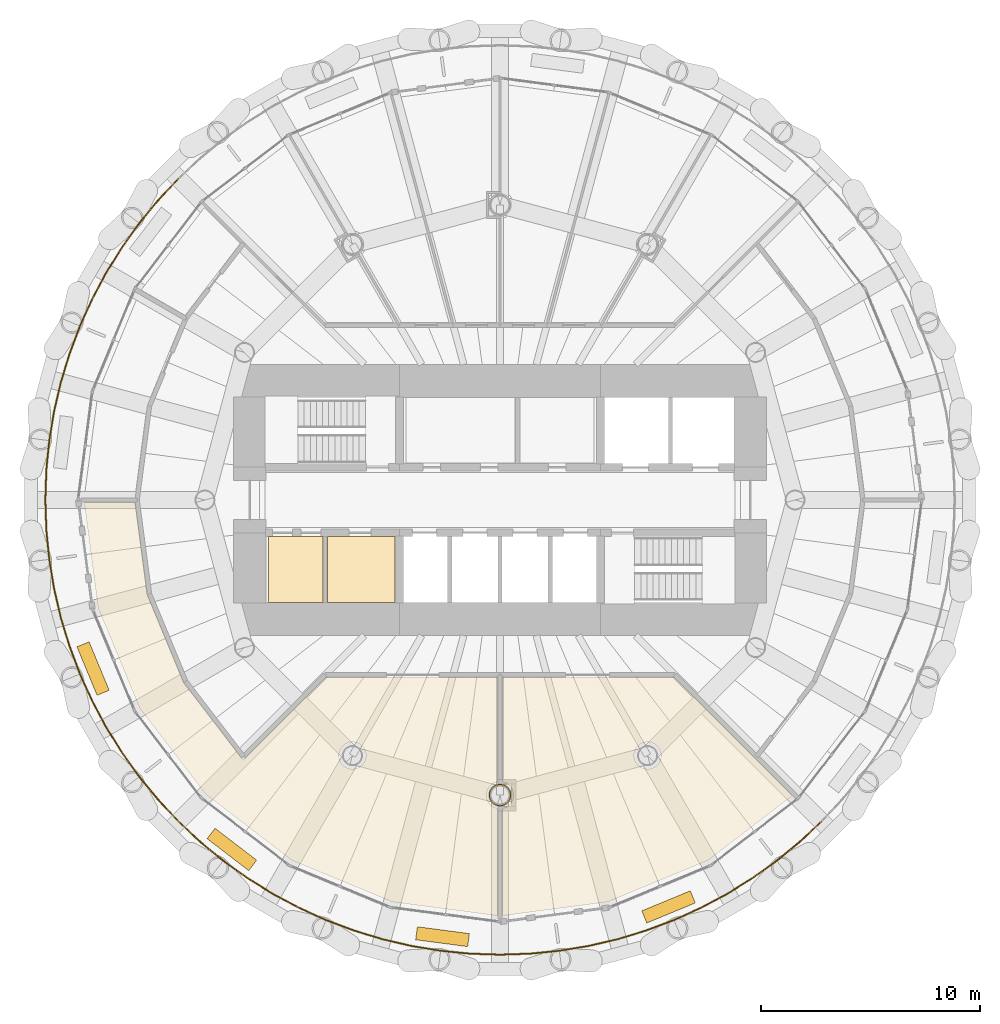
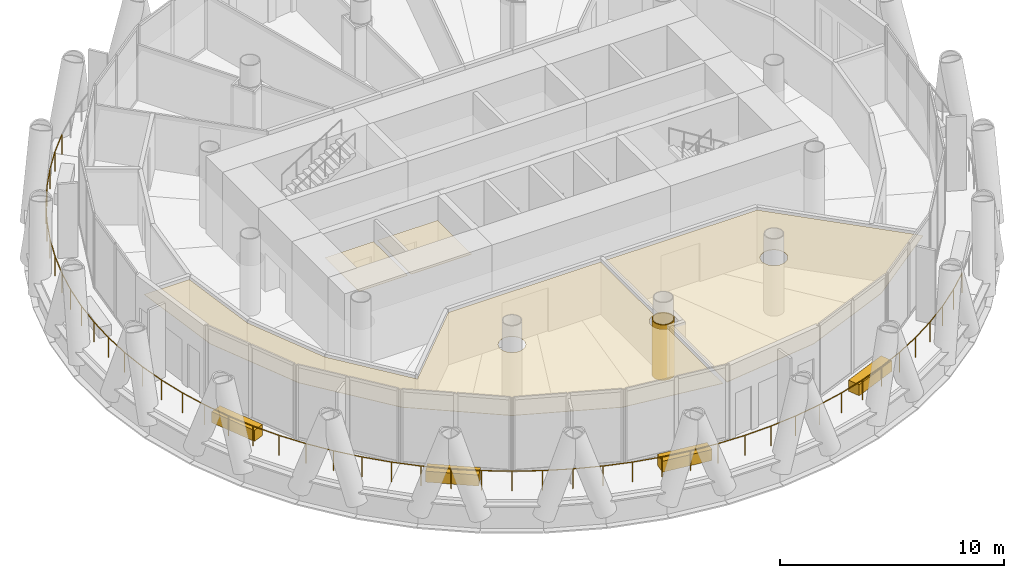
# One storey, part 13 of 15: 9 coverings, 2 railings.
"""IFC4 building model written with IfcOpenShell, lengths in metres."""

from ifc_helpers import new_model, si_unit, direction, frame, origin, origin_2d, place, context, subcontext, project, spatial, polyline, rectangle, circle, outline, extrude, material, layer, layer_set, type_object, element, save


model = new_model("IFC4")

# Units and contexts
model_context = context("Model", 3, precision=1e-05, world=origin(), true_north=direction((0.0, 1.0)))
body_context = subcontext(model_context, "Body", "Model", "MODEL_VIEW")
ifc_project = project(units=[si_unit("LENGTHUNIT", "METRE"), si_unit("AREAUNIT", "SQUARE_METRE"), si_unit("VOLUMEUNIT", "CUBIC_METRE"), si_unit("PLANEANGLEUNIT", "RADIAN"), si_unit("MASSUNIT", "GRAM", prefix="KILO")], contexts=[model_context])

# Site, building, storey
site_placement = place(None, origin())
site = spatial("IfcSite", under=ifc_project, at=site_placement, CompositionType="ELEMENT")
building_placement = place(site_placement, origin())
building = spatial("IfcBuilding", under=site, at=building_placement, Name="Qaws Media Tower", CompositionType="ELEMENT")
storey_placement = place(building_placement, frame((0.0, 0.0, 265.39990234375)))
storey = spatial("IfcBuildingStorey", under=building, at=storey_placement, Name="L61", CompositionType="ELEMENT", Elevation=265.39990234375)

# Railings
ifc_material_1 = material(Name="Stainless steel and glass guard", Category="steel")
railing_type = type_object("IfcRailingType", Name="Balcony guard 1100", PredefinedType="GUARDRAIL", material=ifc_material_1)
railing_1_placement = place(storey_placement, frame((45.292236328125, 64.707763671875, 0.0)))
element("IfcRailing", 1, at=railing_1_placement, inside=storey, type_object=railing_type, Name="GR1 balcony guard L61-2", PredefinedType="GUARDRAIL", context=body_context, shape_type="SweptSolid", body=[
    extrude(circle(Radius=0.02392578125, at=origin_2d()), frame((0.0, 0.0, 1.076171875), z_axis=(-0.683589016523, -0.72986714989, 0.0), x_axis=(0.72986714989, -0.683589016523, 0.0)), (0.0, 0.0, 1.0), 1.361083984375),
    extrude(circle(Radius=0.02392578125, at=origin_2d()), frame((-0.930419921875, -0.993408203125, 1.076171875), z_axis=(-0.634467786401, -0.772949304948, 0.0), x_axis=(0.772949304948, -0.634467786401, 0.0)), (0.0, 0.0, 1.0), 1.361083984375),
    extrude(circle(Radius=0.02392578125, at=origin_2d()), frame((-1.7939453125, -2.04541015625, 1.076171875), z_axis=(-0.582526840805, -0.812811466296, 0.0), x_axis=(0.812811466296, -0.582526840805, 0.0)), (0.0, 0.0, 1.0), 1.361328125),
    extrude(circle(Radius=0.02392578125, at=origin_2d()), frame((-2.5869140625, -3.15185546875, 1.076171875), z_axis=(-0.528014534566, -0.849235333278, 0.0), x_axis=(0.849235333278, -0.528014534566, 0.0)), (0.0, 0.0, 1.0), 1.361328125),
    extrude(circle(Radius=0.02392578125, at=origin_2d()), frame((-3.3056640625, -4.307861328125, 1.076171875), z_axis=(-0.471444630304, -0.881895663079, 0.0), x_axis=(0.881895663079, -0.471444630304, 0.0)), (0.0, 0.0, 1.0), 1.36083984375),
    extrude(circle(Radius=0.02392578125, at=origin_2d()), frame((-3.947265625, -5.508056640625, 1.076171875), z_axis=(-0.41266760436, -0.910881687329, 0.0), x_axis=(0.910881687329, -0.41266760436, 0.0)), (0.0, 0.0, 1.0), 1.361328125),
    extrude(circle(Radius=0.02392578125, at=origin_2d()), frame((-4.509033203125, -6.748046875, 1.076171875), z_axis=(-0.352165227641, -0.935937846462, 0.0), x_axis=(0.935937846462, -0.352165227641, 0.0)), (0.0, 0.0, 1.0), 1.36083984375),
    extrude(circle(Radius=0.02392578125, at=origin_2d()), frame((-4.98828125, -8.021728515625, 1.076171875), z_axis=(-0.290390689523, -0.956908170849, 0.0), x_axis=(0.956908170849, -0.290390689523, 0.0)), (0.0, 0.0, 1.0), 1.361083984375),
    extrude(circle(Radius=0.02392578125, at=origin_2d()), frame((-5.383544921875, -9.32421875, 1.076171875), z_axis=(-0.227059520759, -0.973880882877, 0.0), x_axis=(0.973880882877, -0.227059520759, 0.0)), (0.0, 0.0, 1.0), 1.361328125),
    extrude(circle(Radius=0.02392578125, at=origin_2d()), frame((-5.692626953125, -10.64990234375, 1.076171875), z_axis=(-0.162857275255, -0.986649637864, 0.0), x_axis=(0.986649637864, -0.162857275255, 0.0)), (0.0, 0.0, 1.0), 1.361083984375),
    extrude(circle(Radius=0.02392578125, at=origin_2d()), frame((-5.914306640625, -11.992919921875, 1.076171875), z_axis=(-0.09794069397, -0.995192253017, 0.0), x_axis=(0.995192253017, -0.09794069397, 0.0)), (0.0, 0.0, 1.0), 1.361083984375),
    extrude(circle(Radius=0.02392578125, at=origin_2d()), frame((-6.047607421875, -13.347412109375, 1.076171875), z_axis=(-0.032825086761, -0.999461111639, 0.0), x_axis=(0.999461111639, -0.032825086761, 0.0)), (0.0, 0.0, 1.0), 1.361083984375),
    extrude(circle(Radius=0.02392578125, at=origin_2d()), frame((-6.09228515625, -14.707763671875, 1.076171875), z_axis=(0.032825086761, -0.999461111639, 0.0), x_axis=(0.999461111639, 0.032825086761, 0.0)), (0.0, 0.0, 1.0), 1.361083984375),
    extrude(circle(Radius=0.02392578125, at=origin_2d()), frame((-6.047607421875, -16.068115234375, 1.076171875), z_axis=(0.09794069397, -0.995192253017, 0.0), x_axis=(0.995192253017, 0.09794069397, 0.0)), (0.0, 0.0, 1.0), 1.361083984375),
    extrude(circle(Radius=0.02392578125, at=origin_2d()), frame((-5.914306640625, -17.422607421875, 1.076171875), z_axis=(0.162857275255, -0.986649637864, 0.0), x_axis=(0.986649637864, 0.162857275255, 0.0)), (0.0, 0.0, 1.0), 1.361083984375),
    extrude(circle(Radius=0.02392578125, at=origin_2d()), frame((-5.692626953125, -18.765625, 1.076171875), z_axis=(0.227059520759, -0.973880882877, 0.0), x_axis=(0.973880882877, 0.227059520759, 0.0)), (0.0, 0.0, 1.0), 1.361328125),
    extrude(circle(Radius=0.02392578125, at=origin_2d()), frame((-5.383544921875, -20.09130859375, 1.076171875), z_axis=(0.290390689523, -0.956908170849, 0.0), x_axis=(0.956908170849, 0.290390689523, 0.0)), (0.0, 0.0, 1.0), 1.361083984375),
    extrude(circle(Radius=0.02392578125, at=origin_2d()), frame((-4.98828125, -21.393798828125, 1.076171875), z_axis=(0.352165227641, -0.935937846462, 0.0), x_axis=(0.935937846462, 0.352165227641, 0.0)), (0.0, 0.0, 1.0), 1.36083984375),
    extrude(circle(Radius=0.02392578125, at=origin_2d()), frame((-4.509033203125, -22.66748046875, 1.076171875), z_axis=(0.41266760436, -0.910881687329, 0.0), x_axis=(0.910881687329, 0.41266760436, 0.0)), (0.0, 0.0, 1.0), 1.361328125),
    extrude(circle(Radius=0.02392578125, at=origin_2d()), frame((-3.947265625, -23.907470703125, 1.076171875), z_axis=(0.471444630304, -0.881895663079, 0.0), x_axis=(0.881895663079, 0.471444630304, 0.0)), (0.0, 0.0, 1.0), 1.36083984375),
    extrude(circle(Radius=0.02392578125, at=origin_2d()), frame((-3.3056640625, -25.107666015625, 1.076171875), z_axis=(0.528014534566, -0.849235333278, 0.0), x_axis=(0.849235333278, 0.528014534566, 0.0)), (0.0, 0.0, 1.0), 1.361328125),
    extrude(circle(Radius=0.02392578125, at=origin_2d()), frame((-2.5869140625, -26.263671875, 1.076171875), z_axis=(0.582526840805, -0.812811466296, 0.0), x_axis=(0.812811466296, 0.582526840805, 0.0)), (0.0, 0.0, 1.0), 1.361328125),
    extrude(circle(Radius=0.02392578125, at=origin_2d()), frame((-1.7939453125, -27.3701171875, 1.076171875), z_axis=(0.634467786401, -0.772949304948, 0.0), x_axis=(0.772949304948, 0.634467786401, 0.0)), (0.0, 0.0, 1.0), 1.361083984375),
    extrude(circle(Radius=0.02392578125, at=origin_2d()), frame((-0.930419921875, -28.422119140625, 1.076171875), z_axis=(0.683589016523, -0.72986714989, 0.0), x_axis=(0.72986714989, 0.683589016523, 0.0)), (0.0, 0.0, 1.0), 1.361083984375),
    extrude(circle(Radius=0.02099609375, at=origin_2d()), origin(), (0.0, 0.0, 1.0), 1.052001953125),
    extrude(circle(Radius=0.02099609375, at=origin_2d()), frame((-0.930419921875, -0.993408203125, 0.0)), (0.0, 0.0, 1.0), 1.052001953125),
    extrude(circle(Radius=0.02099609375, at=origin_2d()), frame((-1.7939453125, -2.04541015625, 0.0)), (0.0, 0.0, 1.0), 1.052001953125),
    extrude(circle(Radius=0.02099609375, at=origin_2d()), frame((-2.5869140625, -3.15185546875, 0.0)), (0.0, 0.0, 1.0), 1.052001953125),
    extrude(circle(Radius=0.02099609375, at=origin_2d()), frame((-3.3056640625, -4.307861328125, 0.0)), (0.0, 0.0, 1.0), 1.052001953125),
    extrude(circle(Radius=0.02099609375, at=origin_2d()), frame((-3.947265625, -5.508056640625, 0.0)), (0.0, 0.0, 1.0), 1.052001953125),
    extrude(circle(Radius=0.02099609375, at=origin_2d()), frame((-4.509033203125, -6.748046875, 0.0)), (0.0, 0.0, 1.0), 1.052001953125),
    extrude(circle(Radius=0.02099609375, at=origin_2d()), frame((-4.98828125, -8.021728515625, 0.0)), (0.0, 0.0, 1.0), 1.052001953125),
    extrude(circle(Radius=0.02099609375, at=origin_2d()), frame((-5.383544921875, -9.32421875, 0.0)), (0.0, 0.0, 1.0), 1.052001953125),
    extrude(circle(Radius=0.02099609375, at=origin_2d()), frame((-5.692626953125, -10.64990234375, 0.0)), (0.0, 0.0, 1.0), 1.052001953125),
    extrude(circle(Radius=0.02099609375, at=origin_2d()), frame((-5.914306640625, -11.992919921875, 0.0)), (0.0, 0.0, 1.0), 1.052001953125),
    extrude(circle(Radius=0.02099609375, at=origin_2d()), frame((-6.047607421875, -13.347412109375, 0.0)), (0.0, 0.0, 1.0), 1.052001953125),
    extrude(circle(Radius=0.02099609375, at=origin_2d()), frame((-6.09228515625, -14.707763671875, 0.0)), (0.0, 0.0, 1.0), 1.052001953125),
    extrude(circle(Radius=0.02099609375, at=origin_2d()), frame((-6.047607421875, -16.068115234375, 0.0)), (0.0, 0.0, 1.0), 1.052001953125),
    extrude(circle(Radius=0.02099609375, at=origin_2d()), frame((-5.914306640625, -17.422607421875, 0.0)), (0.0, 0.0, 1.0), 1.052001953125),
    extrude(circle(Radius=0.02099609375, at=origin_2d()), frame((-5.692626953125, -18.765625, 0.0)), (0.0, 0.0, 1.0), 1.052001953125),
    extrude(circle(Radius=0.02099609375, at=origin_2d()), frame((-5.383544921875, -20.09130859375, 0.0)), (0.0, 0.0, 1.0), 1.052001953125),
    extrude(circle(Radius=0.02099609375, at=origin_2d()), frame((-4.98828125, -21.393798828125, 0.0)), (0.0, 0.0, 1.0), 1.052001953125),
    extrude(circle(Radius=0.02099609375, at=origin_2d()), frame((-4.509033203125, -22.66748046875, 0.0)), (0.0, 0.0, 1.0), 1.052001953125),
    extrude(circle(Radius=0.02099609375, at=origin_2d()), frame((-3.947265625, -23.907470703125, 0.0)), (0.0, 0.0, 1.0), 1.052001953125),
    extrude(circle(Radius=0.02099609375, at=origin_2d()), frame((-3.3056640625, -25.107666015625, 0.0)), (0.0, 0.0, 1.0), 1.052001953125),
    extrude(circle(Radius=0.02099609375, at=origin_2d()), frame((-2.5869140625, -26.263671875, 0.0)), (0.0, 0.0, 1.0), 1.052001953125),
    extrude(circle(Radius=0.02099609375, at=origin_2d()), frame((-1.7939453125, -27.3701171875, 0.0)), (0.0, 0.0, 1.0), 1.052001953125),
    extrude(circle(Radius=0.02099609375, at=origin_2d()), frame((-0.930419921875, -28.422119140625, 0.0)), (0.0, 0.0, 1.0), 1.052001953125),
    extrude(circle(Radius=0.02099609375, at=origin_2d()), frame((0.0, -29.41552734375, 0.0)), (0.0, 0.0, 1.0), 1.052001953125),
])
railing_2_placement = place(storey_placement, frame((45.292236328125, 35.292236328125, 0.0)))
element("IfcRailing", 2, at=railing_2_placement, inside=storey, type_object=railing_type, Name="GR1 balcony guard L61-3", PredefinedType="GUARDRAIL", context=body_context, shape_type="SweptSolid", body=[
    extrude(circle(Radius=0.02392578125, at=origin_2d()), frame((0.0, 0.0, 1.076171875), z_axis=(0.72986714989, -0.683589016523, 0.0), x_axis=(0.683589016523, 0.72986714989, 0.0)), (0.0, 0.0, 1.0), 1.361083984375),
    extrude(circle(Radius=0.02392578125, at=origin_2d()), frame((0.993408203125, -0.930419921875, 1.076171875), z_axis=(0.772949304948, -0.634467786401, 0.0), x_axis=(0.634467786401, 0.772949304948, 0.0)), (0.0, 0.0, 1.0), 1.361083984375),
    extrude(circle(Radius=0.02392578125, at=origin_2d()), frame((2.04541015625, -1.7939453125, 1.076171875), z_axis=(0.812811466296, -0.582526840805, 0.0), x_axis=(0.582526840805, 0.812811466296, 0.0)), (0.0, 0.0, 1.0), 1.361328125),
    extrude(circle(Radius=0.02392578125, at=origin_2d()), frame((3.15185546875, -2.5869140625, 1.076171875), z_axis=(0.849235333278, -0.528014534566, 0.0), x_axis=(0.528014534566, 0.849235333278, 0.0)), (0.0, 0.0, 1.0), 1.361328125),
    extrude(circle(Radius=0.02392578125, at=origin_2d()), frame((4.307861328125, -3.3056640625, 1.076171875), z_axis=(0.881895663079, -0.471444630304, 0.0), x_axis=(0.471444630304, 0.881895663079, 0.0)), (0.0, 0.0, 1.0), 1.36083984375),
    extrude(circle(Radius=0.02392578125, at=origin_2d()), frame((5.508056640625, -3.947265625, 1.076171875), z_axis=(0.910881687329, -0.41266760436, 0.0), x_axis=(0.41266760436, 0.910881687329, 0.0)), (0.0, 0.0, 1.0), 1.361328125),
    extrude(circle(Radius=0.02392578125, at=origin_2d()), frame((6.748046875, -4.509033203125, 1.076171875), z_axis=(0.935937846462, -0.352165227641, 0.0), x_axis=(0.352165227641, 0.935937846462, 0.0)), (0.0, 0.0, 1.0), 1.36083984375),
    extrude(circle(Radius=0.02392578125, at=origin_2d()), frame((8.021728515625, -4.98828125, 1.076171875), z_axis=(0.956908170849, -0.290390689523, 0.0), x_axis=(0.290390689523, 0.956908170849, 0.0)), (0.0, 0.0, 1.0), 1.361083984375),
    extrude(circle(Radius=0.02392578125, at=origin_2d()), frame((9.32421875, -5.383544921875, 1.076171875), z_axis=(0.973880882877, -0.227059520759, 0.0), x_axis=(0.227059520759, 0.973880882877, 0.0)), (0.0, 0.0, 1.0), 1.361328125),
    extrude(circle(Radius=0.02392578125, at=origin_2d()), frame((10.64990234375, -5.692626953125, 1.076171875), z_axis=(0.986649637864, -0.162857275255, 0.0), x_axis=(0.162857275255, 0.986649637864, 0.0)), (0.0, 0.0, 1.0), 1.361083984375),
    extrude(circle(Radius=0.02392578125, at=origin_2d()), frame((11.992919921875, -5.914306640625, 1.076171875), z_axis=(0.995192253017, -0.09794069397, 0.0), x_axis=(0.09794069397, 0.995192253017, 0.0)), (0.0, 0.0, 1.0), 1.361083984375),
    extrude(circle(Radius=0.02392578125, at=origin_2d()), frame((13.347412109375, -6.047607421875, 1.076171875), z_axis=(0.999461111639, -0.032825086761, 0.0), x_axis=(0.032825086761, 0.999461111639, 0.0)), (0.0, 0.0, 1.0), 1.361083984375),
    extrude(circle(Radius=0.02392578125, at=origin_2d()), frame((14.707763671875, -6.09228515625, 1.076171875), z_axis=(0.999461111639, 0.032825086761, 0.0), x_axis=(-0.032825086761, 0.999461111639, 0.0)), (0.0, 0.0, 1.0), 1.361083984375),
    extrude(circle(Radius=0.02392578125, at=origin_2d()), frame((16.068115234375, -6.047607421875, 1.076171875), z_axis=(0.995192253017, 0.09794069397, 0.0), x_axis=(-0.09794069397, 0.995192253017, 0.0)), (0.0, 0.0, 1.0), 1.361083984375),
    extrude(circle(Radius=0.02392578125, at=origin_2d()), frame((17.422607421875, -5.914306640625, 1.076171875), z_axis=(0.986649637864, 0.162857275255, 0.0), x_axis=(-0.162857275255, 0.986649637864, 0.0)), (0.0, 0.0, 1.0), 1.361083984375),
    extrude(circle(Radius=0.02392578125, at=origin_2d()), frame((18.765625, -5.692626953125, 1.076171875), z_axis=(0.973880882877, 0.227059520759, 0.0), x_axis=(-0.227059520759, 0.973880882877, 0.0)), (0.0, 0.0, 1.0), 1.361328125),
    extrude(circle(Radius=0.02392578125, at=origin_2d()), frame((20.09130859375, -5.383544921875, 1.076171875), z_axis=(0.956908170849, 0.290390689523, 0.0), x_axis=(-0.290390689523, 0.956908170849, 0.0)), (0.0, 0.0, 1.0), 1.361083984375),
    extrude(circle(Radius=0.02392578125, at=origin_2d()), frame((21.393798828125, -4.98828125, 1.076171875), z_axis=(0.935937846462, 0.352165227641, 0.0), x_axis=(-0.352165227641, 0.935937846462, 0.0)), (0.0, 0.0, 1.0), 1.36083984375),
    extrude(circle(Radius=0.02392578125, at=origin_2d()), frame((22.66748046875, -4.509033203125, 1.076171875), z_axis=(0.910881687329, 0.41266760436, 0.0), x_axis=(-0.41266760436, 0.910881687329, 0.0)), (0.0, 0.0, 1.0), 1.361328125),
    extrude(circle(Radius=0.02392578125, at=origin_2d()), frame((23.907470703125, -3.947265625, 1.076171875), z_axis=(0.881895663079, 0.471444630304, 0.0), x_axis=(-0.471444630304, 0.881895663079, 0.0)), (0.0, 0.0, 1.0), 1.36083984375),
    extrude(circle(Radius=0.02392578125, at=origin_2d()), frame((25.107666015625, -3.3056640625, 1.076171875), z_axis=(0.849235333278, 0.528014534566, 0.0), x_axis=(-0.528014534566, 0.849235333278, 0.0)), (0.0, 0.0, 1.0), 1.361328125),
    extrude(circle(Radius=0.02392578125, at=origin_2d()), frame((26.263671875, -2.5869140625, 1.076171875), z_axis=(0.812811466296, 0.582526840805, 0.0), x_axis=(-0.582526840805, 0.812811466296, 0.0)), (0.0, 0.0, 1.0), 1.361328125),
    extrude(circle(Radius=0.02392578125, at=origin_2d()), frame((27.3701171875, -1.7939453125, 1.076171875), z_axis=(0.772949304948, 0.634467786401, 0.0), x_axis=(-0.634467786401, 0.772949304948, 0.0)), (0.0, 0.0, 1.0), 1.361083984375),
    extrude(circle(Radius=0.02392578125, at=origin_2d()), frame((28.422119140625, -0.930419921875, 1.076171875), z_axis=(0.72986714989, 0.683589016523, 0.0), x_axis=(-0.683589016523, 0.72986714989, 0.0)), (0.0, 0.0, 1.0), 1.361083984375),
    extrude(circle(Radius=0.02099609375, at=origin_2d()), origin(), (0.0, 0.0, 1.0), 1.052001953125),
    extrude(circle(Radius=0.02099609375, at=origin_2d()), frame((0.993408203125, -0.930419921875, 0.0)), (0.0, 0.0, 1.0), 1.052001953125),
    extrude(circle(Radius=0.02099609375, at=origin_2d()), frame((2.04541015625, -1.7939453125, 0.0)), (0.0, 0.0, 1.0), 1.052001953125),
    extrude(circle(Radius=0.02099609375, at=origin_2d()), frame((3.15185546875, -2.5869140625, 0.0)), (0.0, 0.0, 1.0), 1.052001953125),
    extrude(circle(Radius=0.02099609375, at=origin_2d()), frame((4.307861328125, -3.3056640625, 0.0)), (0.0, 0.0, 1.0), 1.052001953125),
    extrude(circle(Radius=0.02099609375, at=origin_2d()), frame((5.508056640625, -3.947265625, 0.0)), (0.0, 0.0, 1.0), 1.052001953125),
    extrude(circle(Radius=0.02099609375, at=origin_2d()), frame((6.748046875, -4.509033203125, 0.0)), (0.0, 0.0, 1.0), 1.052001953125),
    extrude(circle(Radius=0.02099609375, at=origin_2d()), frame((8.021728515625, -4.98828125, 0.0)), (0.0, 0.0, 1.0), 1.052001953125),
    extrude(circle(Radius=0.02099609375, at=origin_2d()), frame((9.32421875, -5.383544921875, 0.0)), (0.0, 0.0, 1.0), 1.052001953125),
    extrude(circle(Radius=0.02099609375, at=origin_2d()), frame((10.64990234375, -5.692626953125, 0.0)), (0.0, 0.0, 1.0), 1.052001953125),
    extrude(circle(Radius=0.02099609375, at=origin_2d()), frame((11.992919921875, -5.914306640625, 0.0)), (0.0, 0.0, 1.0), 1.052001953125),
    extrude(circle(Radius=0.02099609375, at=origin_2d()), frame((13.347412109375, -6.047607421875, 0.0)), (0.0, 0.0, 1.0), 1.052001953125),
    extrude(circle(Radius=0.02099609375, at=origin_2d()), frame((14.707763671875, -6.09228515625, 0.0)), (0.0, 0.0, 1.0), 1.052001953125),
    extrude(circle(Radius=0.02099609375, at=origin_2d()), frame((16.068115234375, -6.047607421875, 0.0)), (0.0, 0.0, 1.0), 1.052001953125),
    extrude(circle(Radius=0.02099609375, at=origin_2d()), frame((17.422607421875, -5.914306640625, 0.0)), (0.0, 0.0, 1.0), 1.052001953125),
    extrude(circle(Radius=0.02099609375, at=origin_2d()), frame((18.765625, -5.692626953125, 0.0)), (0.0, 0.0, 1.0), 1.052001953125),
    extrude(circle(Radius=0.02099609375, at=origin_2d()), frame((20.09130859375, -5.383544921875, 0.0)), (0.0, 0.0, 1.0), 1.052001953125),
    extrude(circle(Radius=0.02099609375, at=origin_2d()), frame((21.393798828125, -4.98828125, 0.0)), (0.0, 0.0, 1.0), 1.052001953125),
    extrude(circle(Radius=0.02099609375, at=origin_2d()), frame((22.66748046875, -4.509033203125, 0.0)), (0.0, 0.0, 1.0), 1.052001953125),
    extrude(circle(Radius=0.02099609375, at=origin_2d()), frame((23.907470703125, -3.947265625, 0.0)), (0.0, 0.0, 1.0), 1.052001953125),
    extrude(circle(Radius=0.02099609375, at=origin_2d()), frame((25.107666015625, -3.3056640625, 0.0)), (0.0, 0.0, 1.0), 1.052001953125),
    extrude(circle(Radius=0.02099609375, at=origin_2d()), frame((26.263671875, -2.5869140625, 0.0)), (0.0, 0.0, 1.0), 1.052001953125),
    extrude(circle(Radius=0.02099609375, at=origin_2d()), frame((27.3701171875, -1.7939453125, 0.0)), (0.0, 0.0, 1.0), 1.052001953125),
    extrude(circle(Radius=0.02099609375, at=origin_2d()), frame((28.422119140625, -0.930419921875, 0.0)), (0.0, 0.0, 1.0), 1.052001953125),
    extrude(circle(Radius=0.02099609375, at=origin_2d()), frame((29.41552734375, 0.0, 0.0)), (0.0, 0.0, 1.0), 1.052001953125),
])

# Coverings
ifc_material_2 = material(Name="Two layers 15 fire-rated gypsum board on steel framing", Category="steel")
ifc_layer_1 = layer(ifc_material_2, 0.050048828125)
ifc_layer_set_1 = layer_set([ifc_layer_1], Name="Column fire casing")
covering_type_1 = type_object("IfcCoveringType", Name="Column fire casing", PredefinedType="CLADDING", material=ifc_layer_set_1)
covering_1_placement = place(storey_placement, origin())
element("IfcCovering", 3, at=covering_1_placement, inside=storey, type_object=covering_type_1, Name="CC1 column casing L61", PredefinedType="CLADDING", context=body_context, shape_type="SweptSolid", body=[
    extrude(outline(polyline([(60.511962890625, 36.5), (60.507568359375, 36.43310546875), (60.49462890625, 36.367431640625), (60.472900390625, 36.30419921875), (60.443359375, 36.243896484375), (60.40625, 36.188232421875), (60.362060546875, 36.137939453125), (60.311767578125, 36.09375), (60.256103515625, 36.056640625), (60.19580078125, 36.027099609375), (60.132568359375, 36.00537109375), (60.06689453125, 35.992431640625), (60.0, 35.988037109375), (59.93310546875, 35.992431640625), (59.867431640625, 36.00537109375), (59.80419921875, 36.027099609375), (59.743896484375, 36.056640625), (59.688232421875, 36.09375), (59.637939453125, 36.137939453125), (59.59375, 36.188232421875), (59.556640625, 36.243896484375), (59.527099609375, 36.30419921875), (59.50537109375, 36.367431640625), (59.492431640625, 36.43310546875), (59.488037109375, 36.5), (59.492431640625, 36.56689453125), (59.50537109375, 36.632568359375), (59.527099609375, 36.69580078125), (59.556640625, 36.756103515625), (59.59375, 36.811767578125), (59.637939453125, 36.862060546875), (59.688232421875, 36.90625), (59.743896484375, 36.943359375), (59.80419921875, 36.972900390625), (59.867431640625, 36.99462890625), (59.93310546875, 37.007568359375), (60.0, 37.011962890625), (60.06689453125, 37.007568359375), (60.132568359375, 36.99462890625), (60.19580078125, 36.972900390625), (60.256103515625, 36.943359375), (60.311767578125, 36.90625), (60.362060546875, 36.862060546875), (60.40625, 36.811767578125), (60.443359375, 36.756103515625), (60.472900390625, 36.69580078125), (60.49462890625, 36.632568359375), (60.507568359375, 36.56689453125), (60.511962890625, 36.5)]), holes=[polyline([(60.4599609375, 36.5), (60.4560546875, 36.43994140625), (60.4443359375, 36.380859375), (60.425048828125, 36.323974609375), (60.3984375, 36.27001953125), (60.364990234375, 36.219970703125), (60.3251953125, 36.1748046875), (60.280029296875, 36.135009765625), (60.22998046875, 36.1015625), (60.176025390625, 36.074951171875), (60.119140625, 36.0556640625), (60.06005859375, 36.0439453125), (60.0, 36.0400390625), (59.93994140625, 36.0439453125), (59.880859375, 36.0556640625), (59.823974609375, 36.074951171875), (59.77001953125, 36.1015625), (59.719970703125, 36.135009765625), (59.6748046875, 36.1748046875), (59.635009765625, 36.219970703125), (59.6015625, 36.27001953125), (59.574951171875, 36.323974609375), (59.5556640625, 36.380859375), (59.5439453125, 36.43994140625), (59.5400390625, 36.5), (59.5439453125, 36.56005859375), (59.5556640625, 36.619140625), (59.574951171875, 36.676025390625), (59.6015625, 36.72998046875), (59.635009765625, 36.780029296875), (59.6748046875, 36.8251953125), (59.719970703125, 36.864990234375), (59.77001953125, 36.8984375), (59.823974609375, 36.925048828125), (59.880859375, 36.9443359375), (59.93994140625, 36.9560546875), (60.0, 36.9599609375), (60.06005859375, 36.9560546875), (60.119140625, 36.9443359375), (60.176025390625, 36.925048828125), (60.22998046875, 36.8984375), (60.280029296875, 36.864990234375), (60.3251953125, 36.8251953125), (60.364990234375, 36.780029296875), (60.3984375, 36.72998046875), (60.425048828125, 36.676025390625), (60.4443359375, 36.619140625), (60.4560546875, 36.56005859375), (60.4599609375, 36.5)])]), origin(), (0.0, 0.0, 1.0), 3.02001953125),
])
ifc_material_3 = material(Name="600 x 600 mineral fibre tiles in exposed grid, suspended", Category="mineral fibre")
ifc_layer_2 = layer(ifc_material_3, 0.02001953125)
ifc_layer_set_2 = layer_set([ifc_layer_2], Name="Mineral fibre tile ceiling 20")
covering_type_2 = type_object("IfcCoveringType", Name="Mineral fibre tile ceiling 20", PredefinedType="CEILING", material=ifc_layer_set_2)
covering_2_placement = place(storey_placement, frame((0.0, 0.0, 2.85009765625)))
element("IfcCovering", 4, at=covering_2_placement, inside=storey, type_object=covering_type_2, Name="CL1 ceiling L61-11 Executive lounge", PredefinedType="CEILING", context=body_context, shape_type="SweptSolid", body=[
    extrude(outline(polyline([(55.0732421875, 31.61328125), (50.482421875, 33.514892578125), (46.5400390625, 36.5400390625), (43.514892578125, 40.482421875), (41.61328125, 45.0732421875), (40.9794921875, 49.887451171875), (43.30126953125, 49.887451171875), (43.85595703125, 45.67431640625), (45.525634765625, 41.643310546875), (48.2509765625, 38.091796875), (52.046630859375, 41.887451171875), (59.887451171875, 41.887451171875), (59.887451171875, 37.10546875), (59.84033203125, 37.095947265625), (59.763916015625, 37.070068359375), (59.69140625, 37.0341796875), (59.62451171875, 36.989501953125), (59.563720703125, 36.936279296875), (59.510498046875, 36.87548828125), (59.4658203125, 36.80859375), (59.429931640625, 36.736083984375), (59.404052734375, 36.65966796875), (59.38818359375, 36.58056640625), (59.383056640625, 36.5), (59.38818359375, 36.41943359375), (59.404052734375, 36.34033203125), (59.429931640625, 36.263916015625), (59.4658203125, 36.19140625), (59.510498046875, 36.12451171875), (59.563720703125, 36.063720703125), (59.62451171875, 36.010498046875), (59.69140625, 35.9658203125), (59.763916015625, 35.929931640625), (59.84033203125, 35.904052734375), (59.887451171875, 35.89453125), (59.887451171875, 30.9794921875), (55.0732421875, 31.61328125)]), holes=[polyline([(53.845947265625, 38.14892578125), (53.86181640625, 38.22802734375), (53.866943359375, 38.30859375), (53.86181640625, 38.38916015625), (53.845947265625, 38.46826171875), (53.820068359375, 38.544921875), (53.7841796875, 38.6171875), (53.739501953125, 38.684326171875), (53.686279296875, 38.744873046875), (53.62548828125, 38.798095703125), (53.55859375, 38.843017578125), (53.486083984375, 38.878662109375), (53.40966796875, 38.904541015625), (53.33056640625, 38.92041015625), (53.25, 38.92578125), (53.16943359375, 38.92041015625), (53.09033203125, 38.904541015625), (53.013916015625, 38.878662109375), (52.94140625, 38.843017578125), (52.87451171875, 38.798095703125), (52.813720703125, 38.744873046875), (52.760498046875, 38.684326171875), (52.7158203125, 38.6171875), (52.679931640625, 38.544921875), (52.654052734375, 38.46826171875), (52.63818359375, 38.38916015625), (52.633056640625, 38.30859375), (52.63818359375, 38.22802734375), (52.654052734375, 38.14892578125), (52.679931640625, 38.072509765625), (52.7158203125, 38.000244140625), (52.760498046875, 37.93310546875), (52.813720703125, 37.872314453125), (52.87451171875, 37.819091796875), (52.94140625, 37.7744140625), (53.013916015625, 37.738525390625), (53.09033203125, 37.712646484375), (53.16943359375, 37.697021484375), (53.25, 37.691650390625), (53.33056640625, 37.697021484375), (53.40966796875, 37.712646484375), (53.486083984375, 37.738525390625), (53.55859375, 37.7744140625), (53.62548828125, 37.819091796875), (53.686279296875, 37.872314453125), (53.739501953125, 37.93310546875), (53.7841796875, 38.000244140625), (53.820068359375, 38.072509765625), (53.845947265625, 38.14892578125)])]), origin(), (0.0, 0.0, 1.0), 0.02001953125),
])
covering_3_placement = place(storey_placement, frame((0.0, 0.0, 2.85009765625)))
element("IfcCovering", 5, at=covering_3_placement, inside=storey, type_object=covering_type_2, Name="CL1 ceiling L61-C04 Shower room", PredefinedType="CEILING", context=body_context, shape_type="SweptSolid", body=[
    extrude(outline(polyline([(49.39990234375, 45.300048828125), (49.39990234375, 48.324951171875), (51.89990234375, 48.324951171875), (51.89990234375, 45.300048828125), (49.39990234375, 45.300048828125)])), origin(), (0.0, 0.0, 1.0), 0.02001953125),
])
ifc_material_4 = material(Name="Precast concrete planter with trailing planting", Category="concrete")
ifc_layer_3 = layer(ifc_material_4, 0.60009765625)
ifc_layer_set_3 = layer_set([ifc_layer_3], Name="Planter 2400x600")
covering_type_3 = type_object("IfcCoveringType", Name="Planter 2400x600", PredefinedType="USERDEFINED", material=ifc_layer_set_3)
for number, where, z_axis, x_axis, name in (
    (6, (41.3837890625, 42.288818359375, 0.0), (0.0, 0.0, 1.0), (0.382683432365, -0.923879532511, 0.0), "PL1 balcony planter L61-07"),
    (7, (47.7333984375, 34.013916015625, 0.0), (0.0, 0.0, 1.0), (0.793353340291, -0.608761429009, 0.0), "PL1 balcony planter L61-08"),
    (8, (57.369873046875, 30.0224609375, 0.0), (0.0, 0.0, 1.0), (0.991444861374, -0.13052619222, 0.0), "PL1 balcony planter L61-09"),
    (9, (67.711181640625, 31.3837890625, 0.0), (0.0, 0.0, 1.0), (0.923879532511, 0.382683432365, 0.0), "PL1 balcony planter L61-10"),
):
    element("IfcCovering", number, at=place(storey_placement, frame(where, z_axis=z_axis, x_axis=x_axis)), inside=storey, type_object=covering_type_3, Name=name, ObjectType="PLANTER", PredefinedType="USERDEFINED", context=body_context, shape_type="SweptSolid", body=[
        extrude(rectangle(XDim=2.39990234375, YDim=0.60009765625, at=origin_2d()), origin(), (0.0, 0.0, 1.0), 0.60009765625),
    ])
ifc_material_5 = material(Name="Two layers 12.5 moisture-resistant plasterboard on suspended metal furring", Category="gypsum")
ifc_layer_4 = layer(ifc_material_5, 0.02490234375)
ifc_layer_set_4 = layer_set([ifc_layer_4], Name="Plasterboard ceiling 25")
covering_type_4 = type_object("IfcCoveringType", Name="Plasterboard ceiling 25", PredefinedType="CEILING", material=ifc_layer_set_4)
covering_4_placement = place(storey_placement, frame((0.0, 0.0, 2.85009765625)))
element("IfcCovering", 10, at=covering_4_placement, inside=storey, type_object=covering_type_4, Name="CL2 ceiling L61-12 Executive library", PredefinedType="CEILING", context=body_context, shape_type="SweptSolid", body=[
    extrude(outline(polyline([(69.517578125, 33.514892578125), (64.9267578125, 31.61328125), (60.112548828125, 30.9794921875), (60.112548828125, 35.89453125), (60.15966796875, 35.904052734375), (60.236083984375, 35.929931640625), (60.30859375, 35.9658203125), (60.37548828125, 36.010498046875), (60.436279296875, 36.063720703125), (60.489501953125, 36.12451171875), (60.5341796875, 36.19140625), (60.570068359375, 36.263916015625), (60.595947265625, 36.34033203125), (60.61181640625, 36.41943359375), (60.616943359375, 36.5), (60.61181640625, 36.58056640625), (60.595947265625, 36.65966796875), (60.570068359375, 36.736083984375), (60.5341796875, 36.80859375), (60.489501953125, 36.87548828125), (60.436279296875, 36.936279296875), (60.37548828125, 36.989501953125), (60.30859375, 37.0341796875), (60.236083984375, 37.070068359375), (60.15966796875, 37.095947265625), (60.112548828125, 37.10546875), (60.112548828125, 41.887451171875), (67.953369140625, 41.887451171875), (73.369873046875, 36.470947265625), (69.517578125, 33.514892578125)]), holes=[polyline([(67.320068359375, 38.072509765625), (67.345947265625, 38.14892578125), (67.36181640625, 38.22802734375), (67.366943359375, 38.30859375), (67.36181640625, 38.38916015625), (67.345947265625, 38.46826171875), (67.320068359375, 38.544921875), (67.2841796875, 38.6171875), (67.239501953125, 38.684326171875), (67.186279296875, 38.744873046875), (67.12548828125, 38.798095703125), (67.05859375, 38.843017578125), (66.986083984375, 38.878662109375), (66.90966796875, 38.904541015625), (66.83056640625, 38.92041015625), (66.75, 38.92578125), (66.66943359375, 38.92041015625), (66.59033203125, 38.904541015625), (66.513916015625, 38.878662109375), (66.44140625, 38.843017578125), (66.37451171875, 38.798095703125), (66.313720703125, 38.744873046875), (66.260498046875, 38.684326171875), (66.2158203125, 38.6171875), (66.179931640625, 38.544921875), (66.154052734375, 38.46826171875), (66.13818359375, 38.38916015625), (66.133056640625, 38.30859375), (66.13818359375, 38.22802734375), (66.154052734375, 38.14892578125), (66.179931640625, 38.072509765625), (66.2158203125, 38.000244140625), (66.260498046875, 37.93310546875), (66.313720703125, 37.872314453125), (66.37451171875, 37.819091796875), (66.44140625, 37.7744140625), (66.513916015625, 37.738525390625), (66.59033203125, 37.712646484375), (66.66943359375, 37.697021484375), (66.75, 37.691650390625), (66.83056640625, 37.697021484375), (66.90966796875, 37.712646484375), (66.986083984375, 37.738525390625), (67.05859375, 37.7744140625), (67.12548828125, 37.819091796875), (67.186279296875, 37.872314453125), (67.239501953125, 37.93310546875), (67.2841796875, 38.000244140625), (67.320068359375, 38.072509765625)])]), origin(), (0.0, 0.0, 1.0), 0.02490234375),
])
covering_5_placement = place(storey_placement, frame((0.0, 0.0, 2.85009765625)))
element("IfcCovering", 11, at=covering_5_placement, inside=storey, type_object=covering_type_4, Name="CL2 ceiling L61-C05 Accessible WC", PredefinedType="CEILING", context=body_context, shape_type="SweptSolid", body=[
    extrude(outline(polyline([(52.10009765625, 45.300048828125), (52.10009765625, 48.324951171875), (55.199951171875, 48.324951171875), (55.199951171875, 45.300048828125), (52.10009765625, 45.300048828125)])), origin(), (0.0, 0.0, 1.0), 0.02490234375),
])

save(model, "model.ifc")
